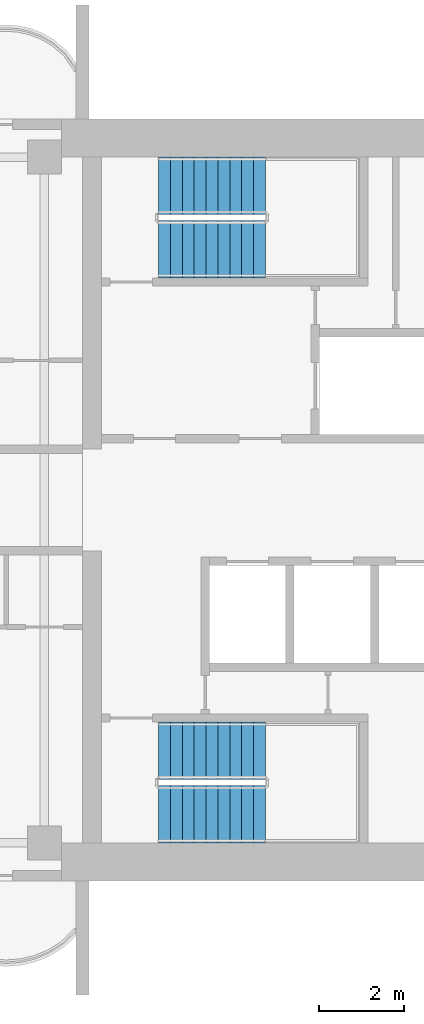
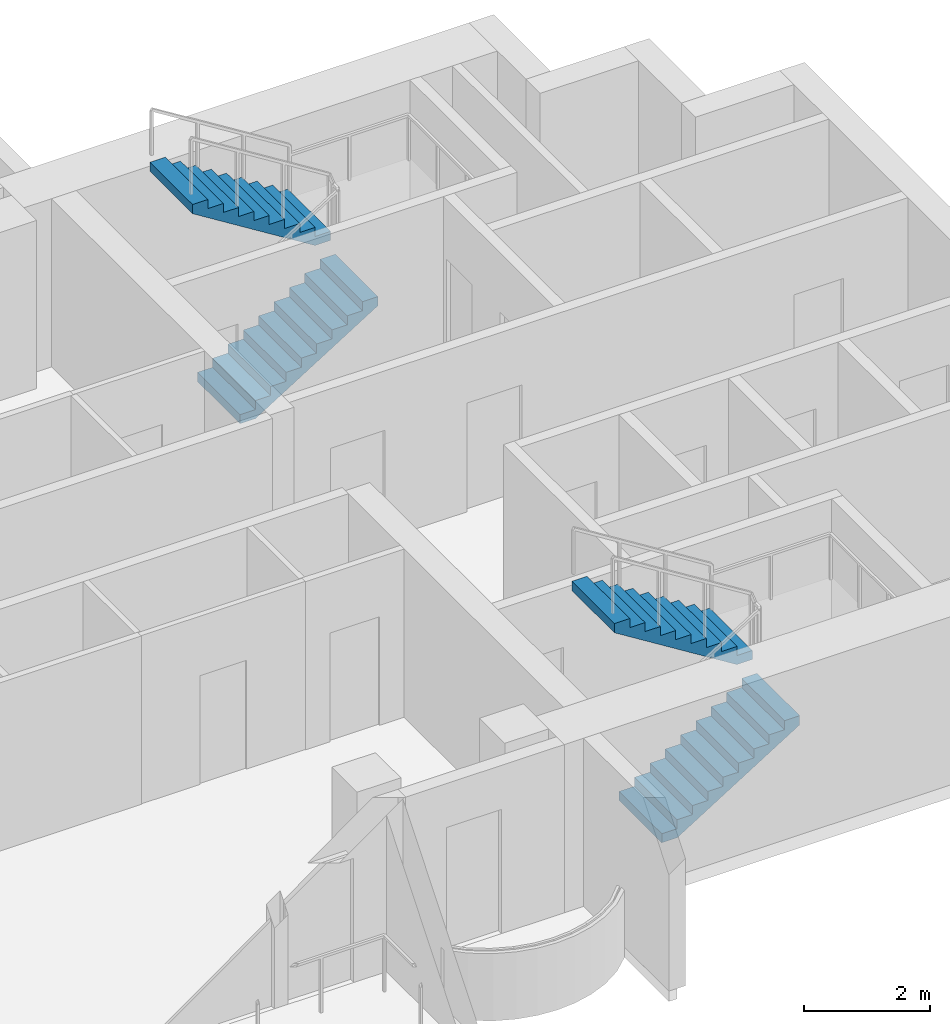
# One storey, part 13 of 17: 4 stair flights, 2 elements without a shape of their own.
"""IFC4 building model written with IfcOpenShell, lengths in metres."""

import ifcopenshell
import ifcopenshell.guid

model = None  # the IFC model being written
_history = None  # IfcOwnerHistory: only IFC2X3 demands one
_inside = {}  # id of a spatial element -> (the spatial element, [elements in it])
_under = {}  # id of a project, library or spatial element -> (it, [spatial elements below it])
_declared = {}  # id of a project -> (the project, [libraries it declares])
_typed = {}  # id of a type object -> (the type object, [elements of that type])
_made_of = {}  # id of a material, layer set ... -> (it, [elements and type objects made of it])


def new_model(schema):
    """Start an empty IFC model of exactly this schema.

    Asked for "IFC4X3", IfcOpenShell would pick the latest addendum, in which some entities
    have other attributes; the version numbers below select the first issue.
    IFC2X3 requires an IfcOwnerHistory on every rooted entity: one is made here for all.
    """
    global model, _history
    if schema == "IFC4X3":
        model = ifcopenshell.file(schema_version=(4, 3, 0, 0))
    else:
        model = ifcopenshell.file(schema=schema)
    _inside.clear()
    _under.clear()
    _declared.clear()
    _typed.clear()
    _made_of.clear()
    _history = None
    if model.schema == "IFC2X3":
        org = make("IfcOrganization", Name="unknown")
        user = make(
            "IfcPersonAndOrganization",
            ThePerson=make("IfcPerson", FamilyName="unknown"),
            TheOrganization=org,
        )
        app = make(
            "IfcApplication",
            ApplicationDeveloper=org,
            Version="unknown",
            ApplicationFullName="unknown",
            ApplicationIdentifier="unknown",
        )
        _history = make(
            "IfcOwnerHistory",
            OwningUser=user,
            OwningApplication=app,
            ChangeAction="ADDED",
            CreationDate=0,
        )
    return model


def make(cls, **values):
    """One entity of the class cls with the attributes given. An attribute that is None is left unset."""
    return model.create_entity(
        cls, **{name: value for name, value in values.items() if value is not None}
    )


def rooted(cls, **values):
    """An entity with a GlobalId (a new one), such as an element, a storey or a relation."""
    return make(cls, GlobalId=ifcopenshell.guid.new(), OwnerHistory=_history, **values)


def si_unit(unit_type, name, prefix=None):
    """IfcSIUnit, for example si_unit("LENGTHUNIT", "METRE", prefix="MILLI")."""
    return make("IfcSIUnit", UnitType=unit_type, Prefix=prefix, Name=name)


def assignment(units):
    """IfcUnitAssignment: the units of a project."""
    return None if units is None else make("IfcUnitAssignment", Units=units)


def point(xyz):
    """IfcCartesianPoint."""
    return None if xyz is None else make("IfcCartesianPoint", Coordinates=xyz)


def direction(xyz):
    """IfcDirection."""
    return None if xyz is None else make("IfcDirection", DirectionRatios=xyz)


def frame(location, z_axis=None, x_axis=None):
    """IfcAxis2Placement3D, a coordinate frame: its origin and axes. An axis left out is left unset."""
    return make(
        "IfcAxis2Placement3D",
        Location=point(location),
        Axis=direction(z_axis),
        RefDirection=direction(x_axis),
    )


def origin():
    """The frame at (0, 0, 0) with its axes left unset."""
    return frame((0.0, 0.0, 0.0))


def place(relative_to, where):
    """IfcLocalPlacement: puts the frame where relative to a parent placement (None: the world)."""
    return make(
        "IfcLocalPlacement", PlacementRelTo=relative_to, RelativePlacement=where
    )


def context(
    kind, dimensions, precision=None, world=None, true_north=None, identifier=None
):
    """IfcGeometricRepresentationContext, for example the 3D "Model" context."""
    return make(
        "IfcGeometricRepresentationContext",
        ContextIdentifier=identifier,
        ContextType=kind,
        CoordinateSpaceDimension=dimensions,
        Precision=precision,
        WorldCoordinateSystem=world,
        TrueNorth=true_north,
    )


def subcontext(parent, identifier, kind, view, scale=None):
    """IfcGeometricRepresentationSubContext, for example "Body" below "Model"."""
    return make(
        "IfcGeometricRepresentationSubContext",
        ContextIdentifier=identifier,
        ContextType=kind,
        ParentContext=parent,
        TargetScale=scale,
        TargetView=view,
    )


def project(units=None, contexts=None):
    """IfcProject with its units and contexts."""
    return rooted(
        "IfcProject",
        Name="project",
        RepresentationContexts=contexts,
        UnitsInContext=assignment(units),
    )


def spatial(cls, under=None, at=None, **own):
    """A site, building, storey or space (cls), placed at a placement, below another one or the project."""
    s = rooted(cls, ObjectPlacement=at, **own)
    if under is not None:
        _under.setdefault(under.id(), (under, []))[1].append(s)
    return s


def polyline(points):
    """IfcPolyline through the points."""
    return make("IfcPolyline", Points=[point(p) for p in points])


def outline(outer, holes=None, kind="AREA"):
    """IfcArbitraryClosedProfileDef: a profile drawn as a closed curve; with holes, ...WithVoids."""
    if holes is None:
        return make("IfcArbitraryClosedProfileDef", ProfileType=kind, OuterCurve=outer)
    return make(
        "IfcArbitraryProfileDefWithVoids",
        ProfileType=kind,
        OuterCurve=outer,
        InnerCurves=holes,
    )


def extrude(swept, where, along, depth):
    """IfcExtrudedAreaSolid: the profile swept, set in the frame where, extruded along a direction by depth."""
    return make(
        "IfcExtrudedAreaSolid",
        SweptArea=swept,
        Position=where,
        ExtrudedDirection=direction(along),
        Depth=depth,
    )


def shape(context_of_items, identifier, shape_type, items):
    """IfcShapeRepresentation: the items that make up one representation, for example the "Body"."""
    return make(
        "IfcShapeRepresentation",
        ContextOfItems=context_of_items,
        RepresentationIdentifier=identifier,
        RepresentationType=shape_type,
        Items=items,
    )


def material(Name=None, Category=None):
    """IfcMaterial."""
    return make("IfcMaterial", Name=Name, Category=Category)


def made_of(thing, what):
    """Note that an element or type object is made of a material, layer set ...; save() writes the relation."""
    if what is not None:
        _made_of.setdefault(what.id(), (what, []))[1].append(thing)
    return thing


def type_object(cls, material=None, **own):
    """A type object (cls), such as IfcWallType, which elements share."""
    return made_of(rooted(cls, **own), material)


def element(
    cls,
    number,
    at=None,
    inside=None,
    cuts=None,
    type_object=None,
    material=None,
    context=None,
    identifier="Body",
    shape_type=None,
    held_by="IfcProductDefinitionShape",
    body=None,
    shapes=None,
    **own,
):
    """One element of the class cls, such as IfcWall. Its Tag is "e" and its number.

    at: its placement. inside: the storey or other place that contains it. cuts: it is an
    opening in that element (IfcRelVoidsElement). A single representation is given by context,
    identifier, shape_type and body (its items); several are given by shapes. held_by: the class
    of the entity that holds the representations. save() writes the other relations.
    """
    e = rooted(cls, Tag="e%d" % number, ObjectPlacement=at, **own)
    if body is not None:
        shapes = [shape(context, identifier, shape_type, body)]
    if shapes is not None:
        e.Representation = make(held_by, Representations=shapes)
    if inside is not None:
        _inside.setdefault(inside.id(), (inside, []))[1].append(e)
    if cuts is not None:
        rooted(
            "IfcRelVoidsElement", RelatingBuildingElement=cuts, RelatedOpeningElement=e
        )
    if type_object is not None:
        _typed.setdefault(type_object.id(), (type_object, []))[1].append(e)
    return made_of(e, material)


def aggregate(whole, parts):
    """IfcRelAggregates: a whole, such as a stair, and the parts it consists of."""
    return rooted("IfcRelAggregates", RelatingObject=whole, RelatedObjects=parts)


def save(model, path):
    """Write the relations noted so far, then the file.

    IfcRelAggregates (storeys below a building ...), IfcRelContainedInSpatialStructure (elements
    in a storey), IfcRelDefinesByType, IfcRelAssociatesMaterial and IfcRelDeclares: one each for
    every whole, place, type object, material and project.
    """
    for whole, parts in _under.values():
        aggregate(whole, parts)
    for where, things in _inside.values():
        rooted(
            "IfcRelContainedInSpatialStructure",
            RelatedElements=things,
            RelatingStructure=where,
        )
    for kind, things in _typed.values():
        rooted("IfcRelDefinesByType", RelatedObjects=things, RelatingType=kind)
    for what, things in _made_of.values():
        rooted("IfcRelAssociatesMaterial", RelatedObjects=things, RelatingMaterial=what)
    for by, libraries in _declared.values():
        rooted("IfcRelDeclares", RelatingContext=by, RelatedDefinitions=libraries)
    model.write(path)


model = new_model("IFC4")

# Units and contexts
model_context = context("Model", 3, precision=1e-05, world=origin(), true_north=direction((0.0, 1.0)))
body_context = subcontext(model_context, "Body", "Model", "MODEL_VIEW")
ifc_project = project(units=[si_unit("LENGTHUNIT", "METRE"), si_unit("AREAUNIT", "SQUARE_METRE"), si_unit("VOLUMEUNIT", "CUBIC_METRE"), si_unit("PLANEANGLEUNIT", "RADIAN"), si_unit("MASSUNIT", "GRAM", prefix="KILO")], contexts=[model_context])

# Site, building, storey
site_placement = place(None, origin())
site = spatial("IfcSite", under=ifc_project, at=site_placement, CompositionType="ELEMENT")
building_placement = place(site_placement, origin())
building = spatial("IfcBuilding", under=site, at=building_placement, Name="Perihelion Cross Residences", CompositionType="ELEMENT")
storey_placement = place(building_placement, frame((0.0, 0.0, 278.0)))
storey = spatial("IfcBuildingStorey", under=building, at=storey_placement, Name="L71", CompositionType="ELEMENT", Elevation=278.0)

# Stair, stair flights
ifc_material_1 = material(Name="Concrete C40/50", Category="concrete")
stair_type = type_object("IfcStairType", Name="Exit stair, half-turn", PredefinedType="HALF_TURN_STAIR", material=ifc_material_1)
stair_1_placement = place(storey_placement, origin())
stair_1 = element("IfcStair", 1, at=stair_1_placement, inside=storey, type_object=stair_type, Name="L71 East core exit stair 1", PredefinedType="HALF_TURN_STAIR")
ifc_material_2 = material(Name="Concrete C40/50", Category="concrete")
stair_flight_type = type_object("IfcStairFlightType", Name="Exit stair flight", PredefinedType="STRAIGHT", material=ifc_material_2)
stair_flight_1_placement = place(storey_placement, frame((23.39990234375, 5.925048828125, 0.0), z_axis=(0.0, 0.0, 1.0), x_axis=(1.0, 0.0, 0.0)))
stair_flight_1 = element("IfcStairFlight", 2, at=stair_flight_1_placement, type_object=stair_flight_type, Name="ST-E1 flight 1", NumberOfRisers=10, NumberOfTreads=9, PredefinedType="STRAIGHT", RiserHeight=0.175, TreadLength=0.28, context=body_context, shape_type="SweptSolid", body=[
    extrude(outline(polyline([(0.0, 0.0), (0.0, 0.175048828125), (0.280029296875, 0.175048828125), (0.280029296875, 0.35009765625), (0.56005859375, 0.35009765625), (0.56005859375, 0.52490234375), (0.840087890625, 0.52490234375), (0.840087890625, 0.699951171875), (1.1201171875, 0.699951171875), (1.1201171875, 0.875), (1.39990234375, 0.875), (1.39990234375, 1.050048828125), (1.679931640625, 1.050048828125), (1.679931640625, 1.22509765625), (1.9599609375, 1.22509765625), (1.9599609375, 1.39990234375), (2.239990234375, 1.39990234375), (2.239990234375, 1.574951171875), (2.52001953125, 1.574951171875), (2.52001953125, 1.75), (2.52001953125, 1.398193359375), (0.28271484375, 0.0), (0.0, 0.0)])), frame((0.0, 0.675048828125, 0.0), z_axis=(0.0, -1.0, 0.0), x_axis=(1.0, 0.0, 0.0)), (0.0, 0.0, 1.0), 1.35009765625),
])
stair_flight_2_placement = place(storey_placement, frame((25.919921875, 7.425048828125, 1.75), z_axis=(0.0, 0.0, 1.0), x_axis=(-1.0, 0.0, 0.0)))
stair_flight_2 = element("IfcStairFlight", 3, at=stair_flight_2_placement, type_object=stair_flight_type, Name="ST-E1 flight 2", NumberOfRisers=10, NumberOfTreads=9, PredefinedType="STRAIGHT", RiserHeight=0.175, TreadLength=0.28, context=body_context, shape_type="SweptSolid", body=[
    extrude(outline(polyline([(0.0, 0.0), (0.0, 0.175048828125), (0.280029296875, 0.175048828125), (0.280029296875, 0.35009765625), (0.56005859375, 0.35009765625), (0.56005859375, 0.52490234375), (0.840087890625, 0.52490234375), (0.840087890625, 0.699951171875), (1.1201171875, 0.699951171875), (1.1201171875, 0.875), (1.39990234375, 0.875), (1.39990234375, 1.050048828125), (1.679931640625, 1.050048828125), (1.679931640625, 1.22509765625), (1.9599609375, 1.22509765625), (1.9599609375, 1.39990234375), (2.239990234375, 1.39990234375), (2.239990234375, 1.574951171875), (2.52001953125, 1.574951171875), (2.52001953125, 1.75), (2.52001953125, 1.398193359375), (0.28271484375, 0.0), (0.0, 0.0)])), frame((0.0, 0.675048828125, 0.0), z_axis=(0.0, -1.0, 0.0), x_axis=(1.0, 0.0, 0.0)), (0.0, 0.0, 1.0), 1.35009765625),
])
aggregate(stair_1, [stair_flight_1, stair_flight_2])

stair_2_placement = place(storey_placement, origin())
stair_2 = element("IfcStair", 4, at=stair_2_placement, inside=storey, type_object=stair_type, Name="L71 East core exit stair 2", PredefinedType="HALF_TURN_STAIR")
stair_flight_3_placement = place(storey_placement, frame((23.39990234375, -7.425048828125, 0.0), z_axis=(0.0, 0.0, 1.0), x_axis=(1.0, 0.0, 0.0)))
stair_flight_3 = element("IfcStairFlight", 5, at=stair_flight_3_placement, type_object=stair_flight_type, Name="ST-E2 flight 1", NumberOfRisers=10, NumberOfTreads=9, PredefinedType="STRAIGHT", RiserHeight=0.175, TreadLength=0.28, context=body_context, shape_type="SweptSolid", body=[
    extrude(outline(polyline([(0.0, 0.0), (0.0, 0.175048828125), (0.280029296875, 0.175048828125), (0.280029296875, 0.35009765625), (0.56005859375, 0.35009765625), (0.56005859375, 0.52490234375), (0.840087890625, 0.52490234375), (0.840087890625, 0.699951171875), (1.1201171875, 0.699951171875), (1.1201171875, 0.875), (1.39990234375, 0.875), (1.39990234375, 1.050048828125), (1.679931640625, 1.050048828125), (1.679931640625, 1.22509765625), (1.9599609375, 1.22509765625), (1.9599609375, 1.39990234375), (2.239990234375, 1.39990234375), (2.239990234375, 1.574951171875), (2.52001953125, 1.574951171875), (2.52001953125, 1.75), (2.52001953125, 1.398193359375), (0.28271484375, 0.0), (0.0, 0.0)])), frame((0.0, 0.675048828125, 0.0), z_axis=(0.0, -1.0, 0.0), x_axis=(1.0, 0.0, 0.0)), (0.0, 0.0, 1.0), 1.35009765625),
])
stair_flight_4_placement = place(storey_placement, frame((25.919921875, -5.925048828125, 1.75), z_axis=(0.0, 0.0, 1.0), x_axis=(-1.0, 0.0, 0.0)))
stair_flight_4 = element("IfcStairFlight", 6, at=stair_flight_4_placement, type_object=stair_flight_type, Name="ST-E2 flight 2", NumberOfRisers=10, NumberOfTreads=9, PredefinedType="STRAIGHT", RiserHeight=0.175, TreadLength=0.28, context=body_context, shape_type="SweptSolid", body=[
    extrude(outline(polyline([(0.0, 0.0), (0.0, 0.175048828125), (0.280029296875, 0.175048828125), (0.280029296875, 0.35009765625), (0.56005859375, 0.35009765625), (0.56005859375, 0.52490234375), (0.840087890625, 0.52490234375), (0.840087890625, 0.699951171875), (1.1201171875, 0.699951171875), (1.1201171875, 0.875), (1.39990234375, 0.875), (1.39990234375, 1.050048828125), (1.679931640625, 1.050048828125), (1.679931640625, 1.22509765625), (1.9599609375, 1.22509765625), (1.9599609375, 1.39990234375), (2.239990234375, 1.39990234375), (2.239990234375, 1.574951171875), (2.52001953125, 1.574951171875), (2.52001953125, 1.75), (2.52001953125, 1.398193359375), (0.28271484375, 0.0), (0.0, 0.0)])), frame((0.0, 0.675048828125, 0.0), z_axis=(0.0, -1.0, 0.0), x_axis=(1.0, 0.0, 0.0)), (0.0, 0.0, 1.0), 1.35009765625),
])
aggregate(stair_2, [stair_flight_3, stair_flight_4])

save(model, "model.ifc")
